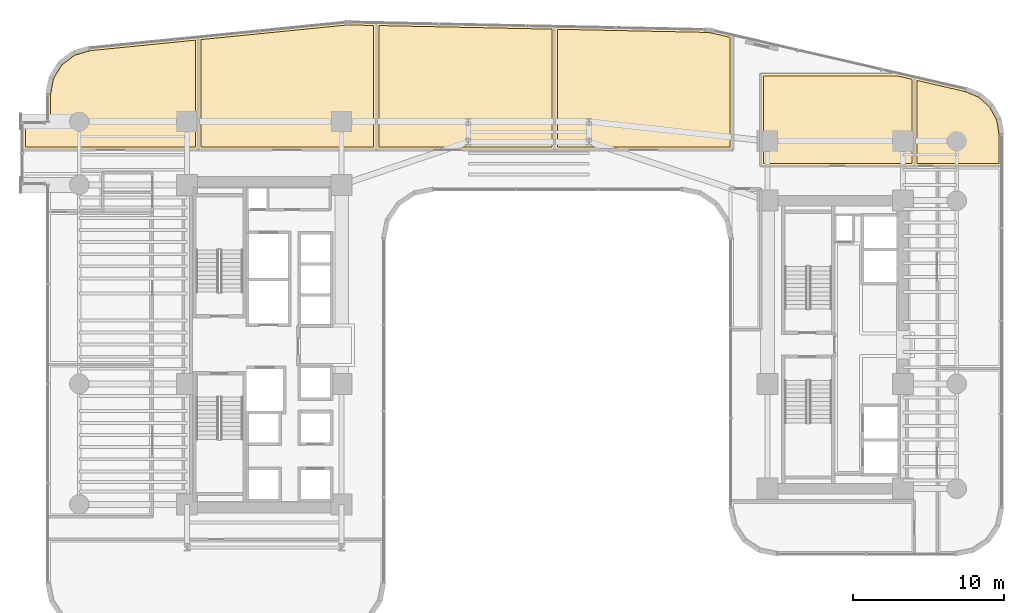
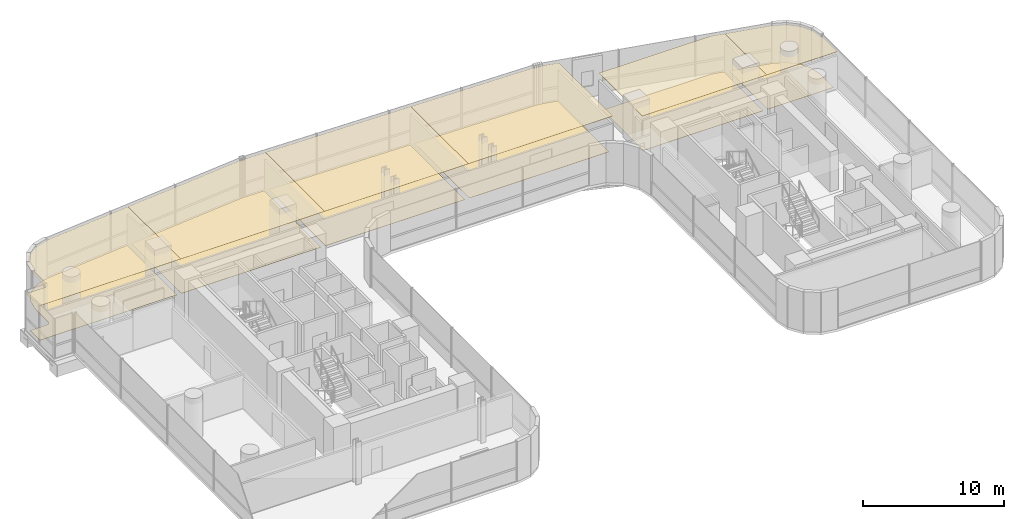
# One storey, part 40 of 40: 12 coverings.
"""IFC4 building model written with IfcOpenShell, lengths in metres."""

import ifcopenshell
import ifcopenshell.guid

model = None  # the IFC model being written
_history = None  # IfcOwnerHistory: only IFC2X3 demands one
_inside = {}  # id of a spatial element -> (the spatial element, [elements in it])
_under = {}  # id of a project, library or spatial element -> (it, [spatial elements below it])
_declared = {}  # id of a project -> (the project, [libraries it declares])
_typed = {}  # id of a type object -> (the type object, [elements of that type])
_made_of = {}  # id of a material, layer set ... -> (it, [elements and type objects made of it])


def new_model(schema):
    """Start an empty IFC model of exactly this schema.

    Asked for "IFC4X3", IfcOpenShell would pick the latest addendum, in which some entities
    have other attributes; the version numbers below select the first issue.
    IFC2X3 requires an IfcOwnerHistory on every rooted entity: one is made here for all.
    """
    global model, _history
    if schema == "IFC4X3":
        model = ifcopenshell.file(schema_version=(4, 3, 0, 0))
    else:
        model = ifcopenshell.file(schema=schema)
    _inside.clear()
    _under.clear()
    _declared.clear()
    _typed.clear()
    _made_of.clear()
    _history = None
    if model.schema == "IFC2X3":
        org = make("IfcOrganization", Name="unknown")
        user = make(
            "IfcPersonAndOrganization",
            ThePerson=make("IfcPerson", FamilyName="unknown"),
            TheOrganization=org,
        )
        app = make(
            "IfcApplication",
            ApplicationDeveloper=org,
            Version="unknown",
            ApplicationFullName="unknown",
            ApplicationIdentifier="unknown",
        )
        _history = make(
            "IfcOwnerHistory",
            OwningUser=user,
            OwningApplication=app,
            ChangeAction="ADDED",
            CreationDate=0,
        )
    return model


def make(cls, **values):
    """One entity of the class cls with the attributes given. An attribute that is None is left unset."""
    return model.create_entity(
        cls, **{name: value for name, value in values.items() if value is not None}
    )


def rooted(cls, **values):
    """An entity with a GlobalId (a new one), such as an element, a storey or a relation."""
    return make(cls, GlobalId=ifcopenshell.guid.new(), OwnerHistory=_history, **values)


def si_unit(unit_type, name, prefix=None):
    """IfcSIUnit, for example si_unit("LENGTHUNIT", "METRE", prefix="MILLI")."""
    return make("IfcSIUnit", UnitType=unit_type, Prefix=prefix, Name=name)


def assignment(units):
    """IfcUnitAssignment: the units of a project."""
    return None if units is None else make("IfcUnitAssignment", Units=units)


def point(xyz):
    """IfcCartesianPoint."""
    return None if xyz is None else make("IfcCartesianPoint", Coordinates=xyz)


def direction(xyz):
    """IfcDirection."""
    return None if xyz is None else make("IfcDirection", DirectionRatios=xyz)


def frame(location, z_axis=None, x_axis=None):
    """IfcAxis2Placement3D, a coordinate frame: its origin and axes. An axis left out is left unset."""
    return make(
        "IfcAxis2Placement3D",
        Location=point(location),
        Axis=direction(z_axis),
        RefDirection=direction(x_axis),
    )


def origin():
    """The frame at (0, 0, 0) with its axes left unset."""
    return frame((0.0, 0.0, 0.0))


def place(relative_to, where):
    """IfcLocalPlacement: puts the frame where relative to a parent placement (None: the world)."""
    return make(
        "IfcLocalPlacement", PlacementRelTo=relative_to, RelativePlacement=where
    )


def context(
    kind, dimensions, precision=None, world=None, true_north=None, identifier=None
):
    """IfcGeometricRepresentationContext, for example the 3D "Model" context."""
    return make(
        "IfcGeometricRepresentationContext",
        ContextIdentifier=identifier,
        ContextType=kind,
        CoordinateSpaceDimension=dimensions,
        Precision=precision,
        WorldCoordinateSystem=world,
        TrueNorth=true_north,
    )


def subcontext(parent, identifier, kind, view, scale=None):
    """IfcGeometricRepresentationSubContext, for example "Body" below "Model"."""
    return make(
        "IfcGeometricRepresentationSubContext",
        ContextIdentifier=identifier,
        ContextType=kind,
        ParentContext=parent,
        TargetScale=scale,
        TargetView=view,
    )


def project(units=None, contexts=None):
    """IfcProject with its units and contexts."""
    return rooted(
        "IfcProject",
        Name="project",
        RepresentationContexts=contexts,
        UnitsInContext=assignment(units),
    )


def spatial(cls, under=None, at=None, **own):
    """A site, building, storey or space (cls), placed at a placement, below another one or the project."""
    s = rooted(cls, ObjectPlacement=at, **own)
    if under is not None:
        _under.setdefault(under.id(), (under, []))[1].append(s)
    return s


def polyline(points):
    """IfcPolyline through the points."""
    return make("IfcPolyline", Points=[point(p) for p in points])


def outline(outer, holes=None, kind="AREA"):
    """IfcArbitraryClosedProfileDef: a profile drawn as a closed curve; with holes, ...WithVoids."""
    if holes is None:
        return make("IfcArbitraryClosedProfileDef", ProfileType=kind, OuterCurve=outer)
    return make(
        "IfcArbitraryProfileDefWithVoids",
        ProfileType=kind,
        OuterCurve=outer,
        InnerCurves=holes,
    )


def extrude(swept, where, along, depth):
    """IfcExtrudedAreaSolid: the profile swept, set in the frame where, extruded along a direction by depth."""
    return make(
        "IfcExtrudedAreaSolid",
        SweptArea=swept,
        Position=where,
        ExtrudedDirection=direction(along),
        Depth=depth,
    )


def shape(context_of_items, identifier, shape_type, items):
    """IfcShapeRepresentation: the items that make up one representation, for example the "Body"."""
    return make(
        "IfcShapeRepresentation",
        ContextOfItems=context_of_items,
        RepresentationIdentifier=identifier,
        RepresentationType=shape_type,
        Items=items,
    )


def material(Name=None, Category=None):
    """IfcMaterial."""
    return make("IfcMaterial", Name=Name, Category=Category)


def layer(
    of_material, thickness, ventilated=None, Name=None, Category=None, Priority=None
):
    """IfcMaterialLayer: one layer of a wall or slab, of a material (None: an air gap)."""
    return make(
        "IfcMaterialLayer",
        Material=of_material,
        LayerThickness=thickness,
        IsVentilated=ventilated,
        Name=Name,
        Category=Category,
        Priority=Priority,
    )


def layer_set(layers, Name=None):
    """IfcMaterialLayerSet."""
    return make("IfcMaterialLayerSet", MaterialLayers=layers, LayerSetName=Name)


def made_of(thing, what):
    """Note that an element or type object is made of a material, layer set ...; save() writes the relation."""
    if what is not None:
        _made_of.setdefault(what.id(), (what, []))[1].append(thing)
    return thing


def type_object(cls, material=None, **own):
    """A type object (cls), such as IfcWallType, which elements share."""
    return made_of(rooted(cls, **own), material)


def element(
    cls,
    number,
    at=None,
    inside=None,
    cuts=None,
    type_object=None,
    material=None,
    context=None,
    identifier="Body",
    shape_type=None,
    held_by="IfcProductDefinitionShape",
    body=None,
    shapes=None,
    **own,
):
    """One element of the class cls, such as IfcWall. Its Tag is "e" and its number.

    at: its placement. inside: the storey or other place that contains it. cuts: it is an
    opening in that element (IfcRelVoidsElement). A single representation is given by context,
    identifier, shape_type and body (its items); several are given by shapes. held_by: the class
    of the entity that holds the representations. save() writes the other relations.
    """
    e = rooted(cls, Tag="e%d" % number, ObjectPlacement=at, **own)
    if body is not None:
        shapes = [shape(context, identifier, shape_type, body)]
    if shapes is not None:
        e.Representation = make(held_by, Representations=shapes)
    if inside is not None:
        _inside.setdefault(inside.id(), (inside, []))[1].append(e)
    if cuts is not None:
        rooted(
            "IfcRelVoidsElement", RelatingBuildingElement=cuts, RelatedOpeningElement=e
        )
    if type_object is not None:
        _typed.setdefault(type_object.id(), (type_object, []))[1].append(e)
    return made_of(e, material)


def aggregate(whole, parts):
    """IfcRelAggregates: a whole, such as a stair, and the parts it consists of."""
    return rooted("IfcRelAggregates", RelatingObject=whole, RelatedObjects=parts)


def save(model, path):
    """Write the relations noted so far, then the file.

    IfcRelAggregates (storeys below a building ...), IfcRelContainedInSpatialStructure (elements
    in a storey), IfcRelDefinesByType, IfcRelAssociatesMaterial and IfcRelDeclares: one each for
    every whole, place, type object, material and project.
    """
    for whole, parts in _under.values():
        aggregate(whole, parts)
    for where, things in _inside.values():
        rooted(
            "IfcRelContainedInSpatialStructure",
            RelatedElements=things,
            RelatingStructure=where,
        )
    for kind, things in _typed.values():
        rooted("IfcRelDefinesByType", RelatedObjects=things, RelatingType=kind)
    for what, things in _made_of.values():
        rooted("IfcRelAssociatesMaterial", RelatedObjects=things, RelatingMaterial=what)
    for by, libraries in _declared.values():
        rooted("IfcRelDeclares", RelatingContext=by, RelatedDefinitions=libraries)
    model.write(path)


model = new_model("IFC4")

# Units and contexts
model_context = context("Model", 3, precision=1e-05, world=origin(), true_north=direction((0.0, 1.0)))
body_context = subcontext(model_context, "Body", "Model", "MODEL_VIEW")
ifc_project = project(units=[si_unit("LENGTHUNIT", "METRE"), si_unit("AREAUNIT", "SQUARE_METRE"), si_unit("VOLUMEUNIT", "CUBIC_METRE"), si_unit("PLANEANGLEUNIT", "RADIAN"), si_unit("MASSUNIT", "GRAM", prefix="KILO")], contexts=[model_context])

# Site, building, storey
site_placement = place(None, origin())
site = spatial("IfcSite", under=ifc_project, at=site_placement, CompositionType="ELEMENT")
building_placement = place(site_placement, origin())
building = spatial("IfcBuilding", under=site, at=building_placement, Name="Valdorenza Pilgrim Sanctuary Tower", CompositionType="ELEMENT")
storey_placement = place(building_placement, frame((0.0, 0.0, 51.89990234375)))
storey = spatial("IfcBuildingStorey", under=building, at=storey_placement, Name="L12", CompositionType="ELEMENT", Elevation=51.89990234375)

# Coverings
ifc_material_1 = material(Name="Micro-perforated acoustic mineral ceiling tile", Category="gypsum")
ifc_layer_1 = layer(ifc_material_1, 0.02490234375, Name="Micro-perforated acoustic mineral ceiling tile")
ifc_layer_set_1 = layer_set([ifc_layer_1], Name="Micro-perforated acoustic mineral ceiling tile")
covering_type_1 = type_object("IfcCoveringType", Name="COV-CLG-ACU", PredefinedType="CEILING", material=ifc_layer_set_1)
covering_1_placement = place(storey_placement, frame((0.0, 0.0, 3.16015625)))
element("IfcCovering", 1, at=covering_1_placement, inside=storey, type_object=covering_type_1, Name="L12 Sacred Art Exhibition Gallery L12-N1 Acoustic Ceiling", PredefinedType="CEILING", context=body_context, shape_type="SweptSolid", body=[
    extrude(outline(polyline([(-33.5400390625, 12.905029296875), (-33.54150390625, 12.905029296875), (-33.54296875, 12.9052734375), (-33.54443359375, 12.905517578125), (-33.545654296875, 12.906005859375), (-33.547119140625, 12.90673828125), (-33.54833984375, 12.907470703125), (-33.549560546875, 12.908447265625), (-33.550537109375, 12.909423828125), (-33.551513671875, 12.910400390625), (-33.552490234375, 12.91162109375), (-33.55322265625, 12.912841796875), (-33.553955078125, 12.914306640625), (-33.554443359375, 12.91552734375), (-33.5546875, 12.9169921875), (-33.554931640625, 12.91845703125), (-33.554931640625, 12.919921875), (-33.554931640625, 14.68994140625), (-33.554931640625, 14.69140625), (-33.5546875, 14.69287109375), (-33.554443359375, 14.6943359375), (-33.553955078125, 14.69580078125), (-33.55322265625, 14.697021484375), (-33.552490234375, 14.6982421875), (-33.551513671875, 14.699462890625), (-33.550537109375, 14.70068359375), (-33.549560546875, 14.70166015625), (-33.54833984375, 14.702392578125), (-33.547119140625, 14.703125), (-33.545654296875, 14.703857421875), (-33.54443359375, 14.704345703125), (-33.54296875, 14.70458984375), (-33.54150390625, 14.704833984375), (-33.5400390625, 14.705078125), (-32.00048828125, 14.705078125), (-31.99072265625, 14.70556640625), (-31.9814453125, 14.706787109375), (-31.972412109375, 14.708984375), (-31.963623046875, 14.712158203125), (-31.955078125, 14.71630859375), (-31.947265625, 14.720947265625), (-31.939697265625, 14.7265625), (-31.932861328125, 14.73291015625), (-31.926513671875, 14.73974609375), (-31.9208984375, 14.747314453125), (-31.916259765625, 14.755126953125), (-31.912109375, 14.763671875), (-31.9091796875, 14.7724609375), (-31.90673828125, 14.781494140625), (-31.905517578125, 14.790771484375), (-31.905029296875, 14.80029296875), (-31.905029296875, 16.593994140625), (-31.90478515625, 16.59521484375), (-31.90478515625, 16.5966796875), (-31.6962890625, 17.717041015625), (-31.696044921875, 17.718505859375), (-31.695556640625, 17.7197265625), (-31.695068359375, 17.720947265625), (-31.6943359375, 17.72216796875), (-31.102294921875, 18.68408203125), (-31.1015625, 18.685302734375), (-31.100830078125, 18.686279296875), (-31.099853515625, 18.687255859375), (-31.0986328125, 18.688232421875), (-30.20068359375, 19.372802734375), (-30.199462890625, 19.37353515625), (-30.1982421875, 19.374267578125), (-30.197021484375, 19.374755859375), (-30.19580078125, 19.375244140625), (-29.1015625, 19.694091796875), (-29.10009765625, 19.694580078125), (-29.098876953125, 19.694580078125), (-21.9189453125, 20.41259765625), (-21.91748046875, 20.41259765625), (-21.916015625, 20.41259765625), (-21.91455078125, 20.412353515625), (-21.9130859375, 20.412109375), (-21.911865234375, 20.41162109375), (-21.910400390625, 20.410888671875), (-21.9091796875, 20.41015625), (-21.907958984375, 20.4091796875), (-21.906982421875, 20.408203125), (-21.906005859375, 20.4072265625), (-21.905029296875, 20.406005859375), (-21.904296875, 20.40478515625), (-21.903564453125, 20.403564453125), (-21.903076171875, 20.402099609375), (-21.90283203125, 20.400634765625), (-21.902587890625, 20.399169921875), (-21.902587890625, 20.397705078125), (-21.902587890625, 12.919921875), (-21.902587890625, 12.91845703125), (-21.90283203125, 12.9169921875), (-21.903076171875, 12.91552734375), (-21.903564453125, 12.914306640625), (-21.904296875, 12.912841796875), (-21.905029296875, 12.91162109375), (-21.906005859375, 12.910400390625), (-21.906982421875, 12.909423828125), (-21.907958984375, 12.908447265625), (-21.9091796875, 12.907470703125), (-21.910400390625, 12.90673828125), (-21.911865234375, 12.906005859375), (-21.9130859375, 12.905517578125), (-21.91455078125, 12.9052734375), (-21.916015625, 12.905029296875), (-21.91748046875, 12.905029296875), (-33.5400390625, 12.905029296875)])), origin(), (0.0, 0.0, 1.0), 0.02490234375),
])
covering_2_placement = place(storey_placement, frame((0.0, 0.0, 3.16015625)))
element("IfcCovering", 2, at=covering_2_placement, inside=storey, type_object=covering_type_1, Name="L12 Sacred Art Exhibition Gallery L12-N2 Acoustic Ceiling", PredefinedType="CEILING", context=body_context, shape_type="SweptSolid", body=[
    extrude(outline(polyline([(-21.930419921875, 20.397705078125), (-21.930419921875, 20.398681640625), (-21.930419921875, 20.400390625), (-21.929931640625, 20.401611328125), (-21.9296875, 20.4033203125), (-21.928955078125, 20.404541015625), (-21.92822265625, 20.406005859375), (-21.92724609375, 20.406982421875), (-21.926513671875, 20.408203125), (-21.92529296875, 20.4091796875), (-21.924072265625, 20.410400390625), (-21.9228515625, 20.4111328125), (-21.92138671875, 20.41162109375), (-21.919921875, 20.412109375), (-21.91845703125, 20.41259765625), (-21.9169921875, 20.412841796875), (-12.18359375, 21.38623046875), (-12.183349609375, 21.38623046875), (-12.089599609375, 21.39404296875), (-12.089111328125, 21.39404296875), (-11.996337890625, 21.399169921875), (-11.995849609375, 21.3994140625), (-11.902587890625, 21.401611328125), (-11.90234375, 21.401611328125), (-11.808349609375, 21.40087890625), (-11.80810546875, 21.40087890625), (-10.0947265625, 21.365234375), (-10.09326171875, 21.365234375), (-10.091796875, 21.364990234375), (-10.09033203125, 21.364501953125), (-10.089111328125, 21.364013671875), (-10.087646484375, 21.36328125), (-10.08642578125, 21.36279296875), (-10.085205078125, 21.36181640625), (-10.084228515625, 21.36083984375), (-10.083251953125, 21.359619140625), (-10.08251953125, 21.3583984375), (-10.081787109375, 21.357421875), (-10.0810546875, 21.35595703125), (-10.08056640625, 21.3544921875), (-10.080322265625, 21.353271484375), (-10.080078125, 21.351806640625), (-10.080078125, 21.350341796875), (-10.080078125, 12.919921875), (-10.080078125, 12.91845703125), (-10.080322265625, 12.9169921875), (-10.08056640625, 12.91552734375), (-10.0810546875, 12.914306640625), (-10.081787109375, 12.912841796875), (-10.08251953125, 12.91162109375), (-10.08349609375, 12.910400390625), (-10.08447265625, 12.909423828125), (-10.08544921875, 12.908447265625), (-10.086669921875, 12.907470703125), (-10.087890625, 12.90673828125), (-10.08935546875, 12.906005859375), (-10.090576171875, 12.905517578125), (-10.092041015625, 12.9052734375), (-10.093505859375, 12.905029296875), (-10.094970703125, 12.905029296875), (-21.91552734375, 12.905029296875), (-21.9169921875, 12.905029296875), (-21.91845703125, 12.9052734375), (-21.919921875, 12.905517578125), (-21.921142578125, 12.906005859375), (-21.922607421875, 12.90673828125), (-21.923828125, 12.907470703125), (-21.925048828125, 12.908447265625), (-21.926025390625, 12.909423828125), (-21.927001953125, 12.910400390625), (-21.927978515625, 12.91162109375), (-21.9287109375, 12.912841796875), (-21.929443359375, 12.914306640625), (-21.929931640625, 12.91552734375), (-21.93017578125, 12.9169921875), (-21.930419921875, 12.91845703125), (-21.930419921875, 12.919921875), (-21.930419921875, 20.397705078125), (-21.930419921875, 20.397705078125)])), origin(), (0.0, 0.0, 1.0), 0.02490234375),
])
covering_3_placement = place(storey_placement, frame((0.0, 0.0, 3.16015625)))
element("IfcCovering", 3, at=covering_3_placement, inside=storey, type_object=covering_type_1, Name="L12 Sacred Art Exhibition Gallery L12-N3 Acoustic Ceiling", PredefinedType="CEILING", context=body_context, shape_type="SweptSolid", body=[
    extrude(outline(polyline([(-10.093017578125, 12.905029296875), (-10.094482421875, 12.905029296875), (-10.095947265625, 12.9052734375), (-10.097412109375, 12.905517578125), (-10.0986328125, 12.906005859375), (-10.10009765625, 12.90673828125), (-10.101318359375, 12.907470703125), (-10.1025390625, 12.908447265625), (-10.103515625, 12.909423828125), (-10.1044921875, 12.910400390625), (-10.10546875, 12.91162109375), (-10.106201171875, 12.912841796875), (-10.10693359375, 12.914306640625), (-10.107421875, 12.91552734375), (-10.107666015625, 12.9169921875), (-10.10791015625, 12.91845703125), (-10.10791015625, 12.919921875), (-10.10791015625, 21.350341796875), (-10.10791015625, 21.351806640625), (-10.107666015625, 21.353271484375), (-10.107421875, 21.354736328125), (-10.106689453125, 21.356201171875), (-10.106201171875, 21.357421875), (-10.10546875, 21.358642578125), (-10.1044921875, 21.35986328125), (-10.103515625, 21.361083984375), (-10.102294921875, 21.362060546875), (-10.101318359375, 21.36279296875), (-10.099853515625, 21.363525390625), (-10.098388671875, 21.3642578125), (-10.09716796875, 21.36474609375), (-10.095703125, 21.364990234375), (-10.09423828125, 21.365234375), (-10.0927734375, 21.365234375), (1.727783203125, 21.118896484375), (1.729248046875, 21.118896484375), (1.730712890625, 21.11865234375), (1.732177734375, 21.118408203125), (1.7333984375, 21.117919921875), (1.73486328125, 21.1171875), (1.736083984375, 21.116455078125), (1.7373046875, 21.115478515625), (1.73828125, 21.114501953125), (1.7392578125, 21.11328125), (1.739990234375, 21.1123046875), (1.74072265625, 21.111083984375), (1.741455078125, 21.109619140625), (1.741943359375, 21.1083984375), (1.7421875, 21.10693359375), (1.742431640625, 21.10546875), (1.742431640625, 21.10400390625), (1.742431640625, 12.919921875), (1.742431640625, 12.91845703125), (1.7421875, 12.9169921875), (1.741943359375, 12.91552734375), (1.741455078125, 12.914306640625), (1.74072265625, 12.912841796875), (1.739990234375, 12.91162109375), (1.739013671875, 12.910400390625), (1.738037109375, 12.909423828125), (1.737060546875, 12.908447265625), (1.73583984375, 12.907470703125), (1.734619140625, 12.90673828125), (1.733154296875, 12.906005859375), (1.73193359375, 12.905517578125), (1.73046875, 12.9052734375), (1.72900390625, 12.905029296875), (1.7275390625, 12.905029296875), (-10.093017578125, 12.905029296875)])), origin(), (0.0, 0.0, 1.0), 0.02490234375),
])
covering_4_placement = place(storey_placement, frame((0.0, 0.0, 3.16015625)))
element("IfcCovering", 4, at=covering_4_placement, inside=storey, type_object=covering_type_1, Name="L12 Sacred Art Exhibition Gallery L12-N4 Acoustic Ceiling", PredefinedType="CEILING", context=body_context, shape_type="SweptSolid", body=[
    extrude(outline(polyline([(1.7294921875, 12.905029296875), (1.72802734375, 12.905029296875), (1.7265625, 12.9052734375), (1.72509765625, 12.905517578125), (1.723876953125, 12.906005859375), (1.722412109375, 12.90673828125), (1.72119140625, 12.907470703125), (1.719970703125, 12.908447265625), (1.718994140625, 12.909423828125), (1.718017578125, 12.910400390625), (1.717041015625, 12.91162109375), (1.71630859375, 12.912841796875), (1.715576171875, 12.914306640625), (1.715087890625, 12.91552734375), (1.71484375, 12.9169921875), (1.714599609375, 12.91845703125), (1.714599609375, 12.919921875), (1.714599609375, 21.10400390625), (1.714599609375, 21.10546875), (1.71484375, 21.10693359375), (1.715087890625, 21.1083984375), (1.7158203125, 21.10986328125), (1.71630859375, 21.111083984375), (1.717041015625, 21.1123046875), (1.718017578125, 21.113525390625), (1.718994140625, 21.11474609375), (1.72021484375, 21.11572265625), (1.72119140625, 21.116455078125), (1.72265625, 21.1171875), (1.72412109375, 21.117919921875), (1.725341796875, 21.118408203125), (1.726806640625, 21.11865234375), (1.728271484375, 21.118896484375), (1.729736328125, 21.118896484375), (11.666015625, 20.912109375), (11.66650390625, 20.911865234375), (11.82666015625, 20.904296875), (11.827392578125, 20.904296875), (11.98583984375, 20.888916015625), (11.986572265625, 20.888671875), (12.143798828125, 20.864990234375), (12.14453125, 20.864990234375), (12.302001953125, 20.832763671875), (12.30224609375, 20.832763671875), (13.553466796875, 20.5439453125), (13.5546875, 20.543701171875), (13.55615234375, 20.543212890625), (13.557373046875, 20.54248046875), (13.55859375, 20.541748046875), (13.559814453125, 20.540771484375), (13.560791015625, 20.539794921875), (13.561767578125, 20.538818359375), (13.5625, 20.53759765625), (13.563232421875, 20.536376953125), (13.56396484375, 20.534912109375), (13.564453125, 20.53369140625), (13.564697265625, 20.5322265625), (13.56494140625, 20.53076171875), (13.56494140625, 20.529296875), (13.56494140625, 12.919921875), (13.56494140625, 12.91845703125), (13.564697265625, 12.9169921875), (13.564453125, 12.91552734375), (13.56396484375, 12.914306640625), (13.563232421875, 12.912841796875), (13.5625, 12.91162109375), (13.5615234375, 12.910400390625), (13.560546875, 12.909423828125), (13.5595703125, 12.908447265625), (13.558349609375, 12.907470703125), (13.55712890625, 12.90673828125), (13.5556640625, 12.906005859375), (13.554443359375, 12.905517578125), (13.552978515625, 12.9052734375), (13.551513671875, 12.905029296875), (13.550048828125, 12.905029296875), (1.7294921875, 12.905029296875)])), origin(), (0.0, 0.0, 1.0), 0.02490234375),
])
covering_5_placement = place(storey_placement, frame((0.0, 0.0, 3.16015625)))
element("IfcCovering", 5, at=covering_5_placement, inside=storey, type_object=covering_type_1, Name="L12 Curator Research Office L12-BN1 Acoustic Ceiling", PredefinedType="CEILING", context=body_context, shape_type="SweptSolid", body=[
    extrude(outline(polyline([(15.39990234375, 11.8349609375), (15.3984375, 11.835205078125), (15.397216796875, 11.835205078125), (15.3955078125, 11.835693359375), (15.394287109375, 11.836181640625), (15.392822265625, 11.8369140625), (15.3916015625, 11.83740234375), (15.390380859375, 11.83837890625), (15.389404296875, 11.83935546875), (15.388427734375, 11.840576171875), (15.387451171875, 11.841796875), (15.38671875, 11.843017578125), (15.385986328125, 11.84423828125), (15.385498046875, 11.845703125), (15.38525390625, 11.84716796875), (15.385009765625, 11.848388671875), (15.385009765625, 11.85009765625), (15.385009765625, 18.0), (15.385009765625, 18.00146484375), (15.38525390625, 18.0029296875), (15.385498046875, 18.00439453125), (15.385986328125, 18.005615234375), (15.38671875, 18.007080078125), (15.387451171875, 18.00830078125), (15.388427734375, 18.009521484375), (15.389404296875, 18.010498046875), (15.390380859375, 18.01171875), (15.3916015625, 18.012451171875), (15.392822265625, 18.01318359375), (15.394287109375, 18.013916015625), (15.3955078125, 18.014404296875), (15.397216796875, 18.0146484375), (15.3984375, 18.014892578125), (15.39990234375, 18.014892578125), (24.5107421875, 18.014892578125), (24.512451171875, 18.014892578125), (24.51416015625, 18.0146484375), (25.603515625, 17.76318359375), (25.604736328125, 17.762939453125), (25.606201171875, 17.76220703125), (25.607421875, 17.76171875), (25.608642578125, 17.760986328125), (25.609619140625, 17.760009765625), (25.61083984375, 17.759033203125), (25.61181640625, 17.758056640625), (25.612548828125, 17.7568359375), (25.61328125, 17.755615234375), (25.614013671875, 17.75439453125), (25.614501953125, 17.7529296875), (25.61474609375, 17.75146484375), (25.614990234375, 17.75), (25.614990234375, 17.74853515625), (25.614990234375, 11.85009765625), (25.614990234375, 11.848388671875), (25.61474609375, 11.84716796875), (25.614501953125, 11.845703125), (25.614013671875, 11.84423828125), (25.61328125, 11.843017578125), (25.612548828125, 11.841796875), (25.611572265625, 11.840576171875), (25.610595703125, 11.83935546875), (25.609619140625, 11.83837890625), (25.6083984375, 11.83740234375), (25.607177734375, 11.8369140625), (25.605712890625, 11.836181640625), (25.6044921875, 11.835693359375), (25.602783203125, 11.835205078125), (25.6015625, 11.835205078125), (25.60009765625, 11.8349609375), (15.39990234375, 11.8349609375)])), origin(), (0.0, 0.0, 1.0), 0.02490234375),
])
covering_6_placement = place(storey_placement, frame((0.0, 0.0, 3.16015625)))
element("IfcCovering", 6, at=covering_6_placement, inside=storey, type_object=covering_type_1, Name="L12 East Wing Reference Library L12-BNE Acoustic Ceiling", PredefinedType="CEILING", context=body_context, shape_type="SweptSolid", body=[
    extrude(outline(polyline([(28.9892578125, 16.98193359375), (28.990478515625, 16.981689453125), (28.99169921875, 16.981201171875), (29.95361328125, 16.580322265625), (29.955078125, 16.57958984375), (29.95654296875, 16.57861328125), (29.9580078125, 16.57763671875), (30.72705078125, 15.88818359375), (30.728271484375, 15.886962890625), (30.729248046875, 15.8857421875), (30.72998046875, 15.88427734375), (31.22900390625, 14.97998046875), (31.2294921875, 14.978271484375), (31.230224609375, 14.976806640625), (31.230712890625, 14.97509765625), (31.40478515625, 13.947509765625), (31.40478515625, 13.9462890625), (31.405029296875, 13.945068359375), (31.405029296875, 11.85009765625), (31.40478515625, 11.848388671875), (31.40478515625, 11.84716796875), (31.404296875, 11.845703125), (31.40380859375, 11.84423828125), (31.4033203125, 11.843017578125), (31.402587890625, 11.841796875), (31.401611328125, 11.840576171875), (31.400634765625, 11.83935546875), (31.3994140625, 11.83837890625), (31.398193359375, 11.83740234375), (31.397216796875, 11.8369140625), (31.395751953125, 11.836181640625), (31.394287109375, 11.835693359375), (31.392822265625, 11.835205078125), (31.3916015625, 11.835205078125), (31.389892578125, 11.8349609375), (25.60205078125, 11.8349609375), (25.6005859375, 11.835205078125), (25.59912109375, 11.835205078125), (25.59765625, 11.835693359375), (25.59619140625, 11.836181640625), (25.594970703125, 11.8369140625), (25.59375, 11.83740234375), (25.592529296875, 11.83837890625), (25.59130859375, 11.83935546875), (25.59033203125, 11.840576171875), (25.589599609375, 11.841796875), (25.5888671875, 11.843017578125), (25.588134765625, 11.84423828125), (25.587646484375, 11.845703125), (25.58740234375, 11.84716796875), (25.587158203125, 11.848388671875), (25.5869140625, 11.85009765625), (25.5869140625, 17.748291015625), (25.587158203125, 17.749755859375), (25.58740234375, 17.751220703125), (25.587646484375, 17.752685546875), (25.588134765625, 17.75390625), (25.5888671875, 17.75537109375), (25.589599609375, 17.756591796875), (25.590576171875, 17.7578125), (25.591552734375, 17.7587890625), (25.5927734375, 17.760009765625), (25.593994140625, 17.7607421875), (25.59521484375, 17.761474609375), (25.596435546875, 17.76220703125), (25.597900390625, 17.7626953125), (25.599365234375, 17.762939453125), (25.600830078125, 17.76318359375), (25.602294921875, 17.76318359375), (25.60400390625, 17.76318359375), (25.60546875, 17.7626953125), (28.9892578125, 16.98193359375)])), origin(), (0.0, 0.0, 1.0), 0.02490234375),
])
ifc_material_2 = material(Name="Honed travertine stone flooring", Category="masonry")
ifc_layer_2 = layer(ifc_material_2, 0.030029296875, Name="Honed travertine stone flooring")
ifc_layer_set_2 = layer_set([ifc_layer_2], Name="Honed travertine stone flooring")
covering_type_2 = type_object("IfcCoveringType", Name="COV-FLR-TRV", PredefinedType="FLOORING", material=ifc_layer_set_2)
covering_7_placement = place(storey_placement, origin())
element("IfcCovering", 7, at=covering_7_placement, inside=storey, type_object=covering_type_2, Name="L12 Sacred Art Exhibition Gallery L12-N1 Flooring", PredefinedType="FLOORING", context=body_context, shape_type="SweptSolid", body=[
    extrude(outline(polyline([(-33.360107421875, 13.10009765625), (-33.360107421875, 14.510009765625), (-32.0, 14.510009765625), (-31.9912109375, 14.51025390625), (-31.98046875, 14.5107421875), (-31.962890625, 14.512451171875), (-31.9521484375, 14.51416015625), (-31.934814453125, 14.517578125), (-31.92431640625, 14.52001953125), (-31.907470703125, 14.525390625), (-31.897216796875, 14.52880859375), (-31.880859375, 14.53564453125), (-31.87109375, 14.540283203125), (-31.855712890625, 14.548583984375), (-31.84619140625, 14.55419921875), (-31.831787109375, 14.56396484375), (-31.822998046875, 14.5703125), (-31.809326171875, 14.58154296875), (-31.80126953125, 14.5888671875), (-31.788818359375, 14.601318359375), (-31.781494140625, 14.609375), (-31.7705078125, 14.623046875), (-31.763916015625, 14.631591796875), (-31.754150390625, 14.646240234375), (-31.74853515625, 14.655517578125), (-31.740234375, 14.671142578125), (-31.735595703125, 14.680908203125), (-31.72900390625, 14.697265625), (-31.725341796875, 14.70751953125), (-31.72021484375, 14.724365234375), (-31.717529296875, 14.73486328125), (-31.714111328125, 14.752197265625), (-31.71240234375, 14.7626953125), (-31.710693359375, 14.780517578125), (-31.710205078125, 14.791259765625), (-31.7099609375, 14.800048828125), (-31.7099609375, 16.577392578125), (-31.5107421875, 17.6484375), (-30.953857421875, 18.553466796875), (-30.109130859375, 19.197509765625), (-29.06298828125, 19.502197265625), (-22.097412109375, 20.19873046875), (-22.097412109375, 13.10009765625), (-33.360107421875, 13.10009765625)])), origin(), (0.0, 0.0, 1.0), 0.025146484375),
])
covering_8_placement = place(storey_placement, origin())
element("IfcCovering", 8, at=covering_8_placement, inside=storey, type_object=covering_type_2, Name="L12 Sacred Art Exhibition Gallery L12-N2 Flooring", PredefinedType="FLOORING", context=body_context, shape_type="SweptSolid", body=[
    extrude(outline(polyline([(-21.735595703125, 13.10009765625), (-21.735595703125, 20.23486328125), (-12.16552734375, 21.19189453125), (-12.07568359375, 21.19970703125), (-11.98828125, 21.204345703125), (-11.900634765625, 21.20654296875), (-11.810791015625, 21.2060546875), (-10.27490234375, 21.174072265625), (-10.27490234375, 13.10009765625), (-21.735595703125, 13.10009765625)])), origin(), (0.0, 0.0, 1.0), 0.025146484375),
])
covering_9_placement = place(storey_placement, origin())
element("IfcCovering", 9, at=covering_9_placement, inside=storey, type_object=covering_type_2, Name="L12 Sacred Art Exhibition Gallery L12-N3 Flooring", PredefinedType="FLOORING", context=body_context, shape_type="SweptSolid", body=[
    extrude(outline(polyline([(-9.9130859375, 13.10009765625), (-9.9130859375, 21.16650390625), (1.547607421875, 20.927734375), (1.547607421875, 13.10009765625), (-9.9130859375, 13.10009765625)])), origin(), (0.0, 0.0, 1.0), 0.025146484375),
])
covering_10_placement = place(storey_placement, origin())
element("IfcCovering", 10, at=covering_10_placement, inside=storey, type_object=covering_type_2, Name="L12 Sacred Art Exhibition Gallery L12-N4 Flooring", PredefinedType="FLOORING", context=body_context, shape_type="SweptSolid", body=[
    extrude(outline(polyline([(1.909423828125, 13.10009765625), (1.909423828125, 20.920166015625), (11.65966796875, 20.717041015625), (11.81298828125, 20.7099609375), (11.962158203125, 20.6953125), (12.110107421875, 20.6728515625), (12.2607421875, 20.64208984375), (13.3701171875, 20.38623046875), (13.3701171875, 13.10009765625), (1.909423828125, 13.10009765625)])), origin(), (0.0, 0.0, 1.0), 0.025146484375),
])
covering_11_placement = place(storey_placement, origin())
element("IfcCovering", 11, at=covering_11_placement, inside=storey, type_object=covering_type_2, Name="L12 Curator Research Office L12-BN1 Flooring", PredefinedType="FLOORING", context=body_context, shape_type="SweptSolid", body=[
    extrude(outline(polyline([(15.580078125, 12.030029296875), (15.580078125, 17.820068359375), (24.490234375, 17.820068359375), (25.419921875, 17.60546875), (25.419921875, 12.030029296875), (15.580078125, 12.030029296875)])), origin(), (0.0, 0.0, 1.0), 0.025146484375),
])
covering_12_placement = place(storey_placement, origin())
element("IfcCovering", 12, at=covering_12_placement, inside=storey, type_object=covering_type_2, Name="L12 East Wing Reference Library L12-BNE Flooring", PredefinedType="FLOORING", context=body_context, shape_type="SweptSolid", body=[
    extrude(outline(polyline([(28.9306640625, 16.79541015625), (29.8505859375, 16.412109375), (30.57421875, 15.763427734375), (31.04345703125, 14.912353515625), (31.2099609375, 13.929931640625), (31.2099609375, 12.030029296875), (25.781982421875, 12.030029296875), (25.781982421875, 17.52197265625), (28.9306640625, 16.79541015625)])), origin(), (0.0, 0.0, 1.0), 0.025146484375),
])

save(model, "model.ifc")
